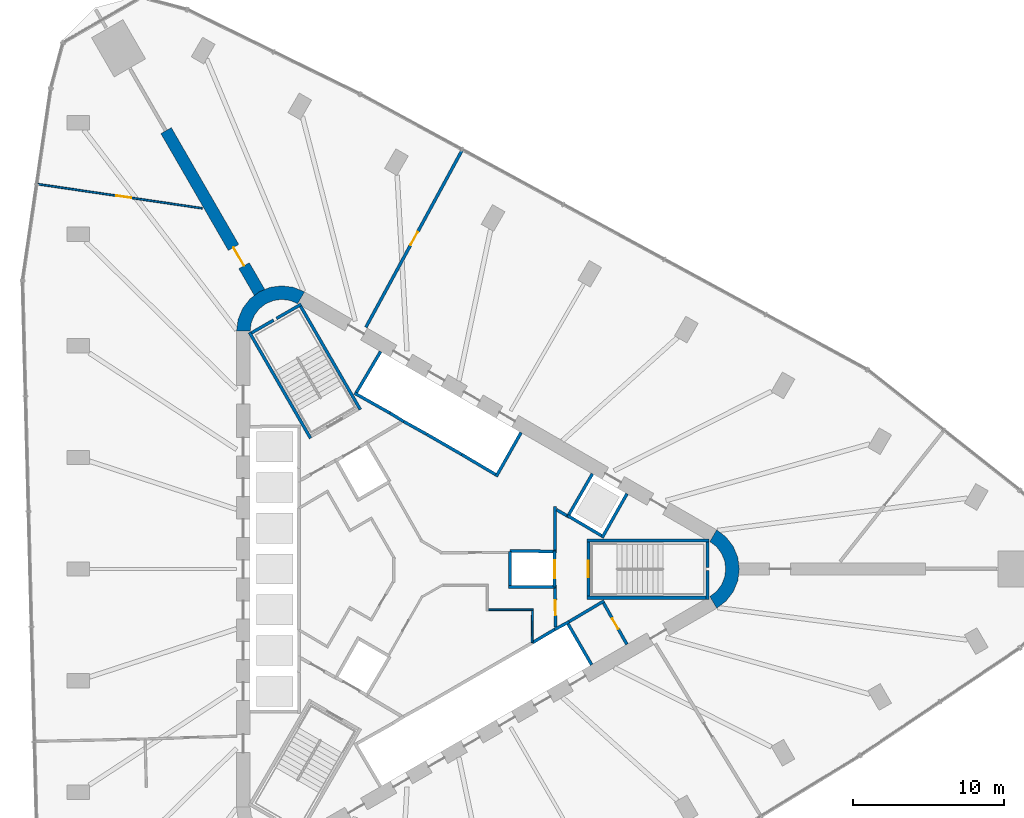
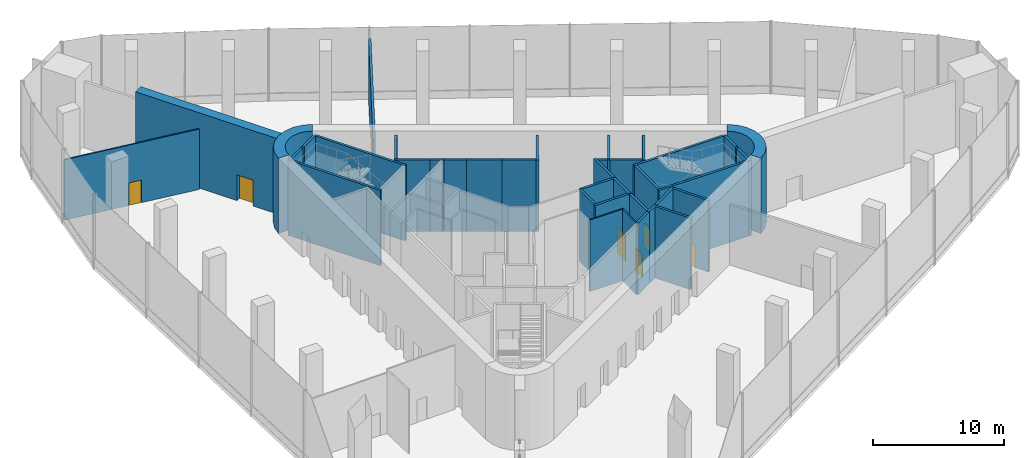
# One storey, part 10 of 15: 38 walls, 7 doors, 7 openings.
"""IFC4 building model written with IfcOpenShell, lengths in metres."""

from ifc_helpers import new_model, si_unit, direction, frame, frame_2d, origin, place, context, subcontext, project, spatial, polyline, rectangle, outline, extrude, material, layer, layer_set, type_object, element, fill, save


model = new_model("IFC4")

# Units and contexts
model_context = context("Model", 3, precision=1e-05, world=origin(), true_north=direction((0.0, 1.0)))
body_context = subcontext(model_context, "Body", "Model", "MODEL_VIEW")
ifc_project = project(units=[si_unit("LENGTHUNIT", "METRE"), si_unit("AREAUNIT", "SQUARE_METRE"), si_unit("VOLUMEUNIT", "CUBIC_METRE"), si_unit("PLANEANGLEUNIT", "RADIAN"), si_unit("MASSUNIT", "GRAM", prefix="KILO")], contexts=[model_context])

# Site, building, storey
site_placement = place(None, origin())
site = spatial("IfcSite", under=ifc_project, at=site_placement, CompositionType="ELEMENT")
building_placement = place(site_placement, origin())
building = spatial("IfcBuilding", under=site, at=building_placement, Name="Tanit Gate Tower", CompositionType="ELEMENT")
storey_placement = place(building_placement, frame((0.0, 0.0, 156.199951171875)))
storey = spatial("IfcBuildingStorey", under=building, at=storey_placement, Name="L34", CompositionType="ELEMENT", Elevation=156.199951171875)

# Wall, opening, door
ifc_material_1 = material(Name="Concrete C60/75", Category="concrete")
ifc_layer_1 = layer(ifc_material_1, 0.800048828125)
ifc_layer_set_1 = layer_set([ifc_layer_1], Name="BUTTRESS FIN 800 C60/75")
wall_type_1 = type_object("IfcWallType", Name="BUTTRESS FIN 800 C60/75", PredefinedType="SHEAR", material=ifc_layer_set_1)
wall_1_placement = place(storey_placement, frame((-10.574951171875, 18.31640625, 0.0), z_axis=(0.0, 0.0, 1.0), x_axis=(-0.500002326941, 0.86602406032, 0.0)))
wall_1 = element("IfcWall", 1, at=wall_1_placement, inside=storey, type_object=wall_type_1, Name="BUTTRESS FIN", PredefinedType="SHEAR", context=body_context, shape_type="SweptSolid", body=[
    extrude(rectangle(XDim=12.3837890625, YDim=0.800048828125, at=frame_2d((6.19189453125, 0.0))), origin(), (0.0, 0.0, 1.0), 7.0),
])
opening_1_placement = place(wall_1_placement, frame((2.050048828125, 0.0, 0.0)))
opening_1 = element("IfcOpeningElement", 2, at=opening_1_placement, cuts=wall_1, Name="Opening P14-34-F-NW-1", PredefinedType="OPENING", context=body_context, shape_type="SweptSolid", body=[
    extrude(rectangle(XDim=1.39990234375, YDim=2.39990234375, at=frame_2d((0.699951171875, 1.199951171875))), frame((0.0, 0.41015625, 0.0), z_axis=(0.0, -1.0, 0.0), x_axis=(1.0, 0.0, 0.0)), (0.0, 0.0, 1.0), 0.820068359375),
])
ifc_material_2 = material(Name="Timber door leaf", Category="wood")
door_type_1 = type_object("IfcDoorType", Name="INT-DOOR-FIN-PAIR-1400", OperationType="NOTDEFINED", PredefinedType="NOTDEFINED", material=ifc_material_2)
door_1_placement = place(opening_1_placement, origin())
door_1 = element("IfcDoor", 3, at=door_1_placement, inside=storey, type_object=door_type_1, Name="Door P14-34-F-NW-1", OperationType="DOUBLE_DOOR_SINGLE_SWING", OverallHeight=2.39990234375, OverallWidth=1.39990234375, PredefinedType="NOTDEFINED", context=body_context, shape_type="SweptSolid", body=[
    extrude(rectangle(XDim=1.39990234375, YDim=2.39990234375, at=frame_2d((0.699951171875, 1.199951171875))), frame((0.0, 0.02490234375, 0.0), z_axis=(0.0, -1.0, 0.0), x_axis=(1.0, 0.0, 0.0)), (0.0, 0.0, 1.0), 0.050048828125),
])
fill(opening_1, door_1)

# Walls
ifc_material_3 = material(Name="Concrete C60/75", Category="concrete")
ifc_layer_2 = layer(ifc_material_3, 0.89990234375)
ifc_layer_set_2 = layer_set([ifc_layer_2], Name="CORE WALL 900 C60/75")
wall_type_2 = type_object("IfcWallType", Name="CORE WALL 900 C60/75", PredefinedType="SHEAR", material=ifc_layer_set_2)
wall_2_placement = place(storey_placement, origin())
element("IfcWall", 4, at=wall_2_placement, inside=storey, type_object=wall_type_2, Name="CORE WALL CORNER", PredefinedType="SHEAR", context=body_context, shape_type="SweptSolid", body=[
    extrude(outline(polyline([(-7.60009765625, 18.359619140625), (-8.323486328125, 18.659423828125), (-9.10009765625, 18.76171875), (-9.87646484375, 18.659423828125), (-10.60009765625, 18.359619140625), (-11.22119140625, 17.883056640625), (-11.697998046875, 17.26171875), (-11.997802734375, 16.5380859375), (-12.10009765625, 15.76171875), (-11.199951171875, 15.76171875), (-11.12841796875, 16.30517578125), (-10.918701171875, 16.811767578125), (-10.5849609375, 17.24658203125), (-10.14990234375, 17.580322265625), (-9.6435546875, 17.7900390625), (-9.10009765625, 17.86181640625), (-8.556396484375, 17.7900390625), (-8.050048828125, 17.580322265625), (-7.60009765625, 18.359619140625)])), origin(), (0.0, 0.0, 1.0), 7.0),
])
wall_3_placement = place(storey_placement, origin())
element("IfcWall", 5, at=wall_3_placement, inside=storey, type_object=wall_type_2, Name="CORE WALL CORNER", PredefinedType="SHEAR", context=body_context, shape_type="SweptSolid", body=[
    extrude(outline(polyline([(19.699951171875, -2.59814453125), (20.3212890625, -2.121337890625), (20.798095703125, -1.5), (21.097900390625, -0.776611328125), (21.199951171875, 0.0), (21.097900390625, 0.776611328125), (20.798095703125, 1.5), (20.3212890625, 2.121337890625), (19.699951171875, 2.59814453125), (19.25, 1.818603515625), (19.684814453125, 1.48486328125), (20.018798828125, 1.050048828125), (20.228515625, 0.54345703125), (20.300048828125, 0.0), (20.228515625, -0.54345703125), (20.018798828125, -1.050048828125), (19.684814453125, -1.48486328125), (19.25, -1.818603515625), (19.699951171875, -2.59814453125)])), origin(), (0.0, 0.0, 1.0), 7.0),
])
ifc_material_4 = material(Name="Fire-rated gypsum board partition")
ifc_layer_3 = layer(ifc_material_4, 0.199951171875)
ifc_layer_set_3 = layer_set([ifc_layer_3], Name="INT-WALL-COMPARTMENT")
wall_type_3 = type_object("IfcWallType", Name="INT-WALL-COMPARTMENT", PredefinedType="PARTITIONING", material=ifc_layer_set_3)
wall_4_placement = place(storey_placement, frame((12.244873046875, -2.10888671875, 0.0), z_axis=(0.0, 0.0, 1.0), x_axis=(-0.860414880418, -0.509594185166, 0.0)))
element("IfcWall", 6, at=wall_4_placement, inside=storey, type_object=wall_type_3, Name="Wall Compartment W059", PredefinedType="PARTITIONING", context=body_context, shape_type="SweptSolid", body=[
    extrude(rectangle(XDim=2.7001953125, YDim=0.199951171875, at=frame_2d((1.35009765625, 0.0))), origin(), (0.0, 0.0, 1.0), 6.650146484375),
])

# Wall, opening, door
wall_5_placement = place(storey_placement, frame((13.758056640625, -4.989501953125, 0.0), z_axis=(0.0, 0.0, 1.0), x_axis=(-0.491993409184, 0.87059892334, 0.0)))
wall_5 = element("IfcWall", 7, at=wall_5_placement, inside=storey, type_object=wall_type_3, Name="Wall Compartment W060", PredefinedType="PARTITIONING", context=body_context, shape_type="SweptSolid", body=[
    extrude(rectangle(XDim=3.150146484375, YDim=0.199951171875, at=frame_2d((1.5751953125, 0.0))), origin(), (0.0, 0.0, 1.0), 6.650146484375),
])
opening_2_placement = place(wall_5_placement, frame((1.175048828125, 0.0, 0.0)))
opening_2 = element("IfcOpeningElement", 8, at=opening_2_placement, cuts=wall_5, Name="Opening R08-34-13", PredefinedType="OPENING", context=body_context, shape_type="SweptSolid", body=[
    extrude(rectangle(XDim=0.800048828125, YDim=2.10009765625, at=frame_2d((0.39990234375, 1.050048828125))), frame((0.0, 0.10986328125, 0.0), z_axis=(0.0, -1.0, 0.0), x_axis=(1.0, 0.0, 0.0)), (0.0, 0.0, 1.0), 0.219970703125),
])
ifc_material_5 = material(Name="Timber door leaf", Category="wood")
door_type_2 = type_object("IfcDoorType", Name="INT-DOOR-RISER-800", OperationType="NOTDEFINED", PredefinedType="USERDEFINED", material=ifc_material_5)
door_2_placement = place(opening_2_placement, origin())
door_2 = element("IfcDoor", 9, at=door_2_placement, inside=storey, type_object=door_type_2, Name="Door R08-34-13", ObjectType="FIRE DOOR", OperationType="SINGLE_SWING_LEFT", OverallHeight=2.10009765625, OverallWidth=0.800048828125, PredefinedType="USERDEFINED", context=body_context, shape_type="SweptSolid", body=[
    extrude(rectangle(XDim=0.800048828125, YDim=2.10009765625, at=frame_2d((0.39990234375, 1.050048828125))), frame((0.0, 0.02490234375, 0.0), z_axis=(0.0, -1.0, 0.0), x_axis=(1.0, 0.0, 0.0)), (0.0, 0.0, 1.0), 0.050048828125),
])
fill(opening_2, door_2)

# Walls
wall_6_placement = place(storey_placement, frame((9.0, 1.27001953125, 0.0), z_axis=(0.0, 0.0, 1.0), x_axis=(0.0, 1.0, 0.0)))
element("IfcWall", 10, at=wall_6_placement, inside=storey, type_object=wall_type_3, Name="Wall Compartment W061", PredefinedType="PARTITIONING", context=body_context, shape_type="SweptSolid", body=[
    extrude(rectangle(XDim=2.886962890625, YDim=0.199951171875, at=frame_2d((1.443359375, 0.0))), origin(), (0.0, 0.0, 1.0), 6.650146484375),
])
wall_7_placement = place(storey_placement, frame((9.760009765625, 3.544921875, 0.0), z_axis=(0.0, 0.0, 1.0), x_axis=(-0.865966824893, 0.500101447894, 0.0)))
element("IfcWall", 11, at=wall_7_placement, inside=storey, type_object=wall_type_3, Name="Wall Compartment W062", PredefinedType="PARTITIONING", context=body_context, shape_type="SweptSolid", body=[
    extrude(rectangle(XDim=0.761962890625, YDim=0.199951171875, at=frame_2d((0.380859375, 0.0))), origin(), (0.0, 0.0, 1.0), 6.650146484375),
])

# Wall, opening, door
wall_8_placement = place(storey_placement, frame((9.02880859375, -3.850830078125, 0.0), z_axis=(0.0, 0.0, 1.0), x_axis=(-0.010783593937, 0.99994185536, 0.0)))
wall_8 = element("IfcWall", 12, at=wall_8_placement, inside=storey, type_object=wall_type_3, Name="Wall Compartment W063", PredefinedType="PARTITIONING", context=body_context, shape_type="SweptSolid", body=[
    extrude(rectangle(XDim=2.5810546875, YDim=0.199951171875, at=frame_2d((1.29052734375, 0.0))), origin(), (0.0, 0.0, 1.0), 6.650146484375),
])
opening_3_placement = place(wall_8_placement, frame((0.79052734375, 0.0, 0.0)))
opening_3 = element("IfcOpeningElement", 13, at=opening_3_placement, cuts=wall_8, Name="Opening F10-34-02", PredefinedType="OPENING", context=body_context, shape_type="SweptSolid", body=[
    extrude(rectangle(XDim=1.0, YDim=2.10009765625, at=frame_2d((0.5, 1.050048828125))), frame((0.0, 0.10986328125, 0.0), z_axis=(0.0, -1.0, 0.0), x_axis=(1.0, 0.0, 0.0)), (0.0, 0.0, 1.0), 0.219970703125),
])
ifc_material_6 = material(Name="Fire-rated steel door leaf", Category="steel")
door_type_3 = type_object("IfcDoorType", Name="INT-DOOR-FIRE-1000", OperationType="NOTDEFINED", PredefinedType="USERDEFINED", material=ifc_material_6)
door_3_placement = place(opening_3_placement, origin())
door_3 = element("IfcDoor", 14, at=door_3_placement, inside=storey, type_object=door_type_3, Name="Door F10-34-02", ObjectType="FIRE DOOR", OperationType="SINGLE_SWING_RIGHT", OverallHeight=2.10009765625, OverallWidth=1.0, PredefinedType="USERDEFINED", context=body_context, shape_type="SweptSolid", body=[
    extrude(rectangle(XDim=1.0, YDim=2.10009765625, at=frame_2d((0.5, 1.050048828125))), frame((0.0, 0.02490234375, 0.0), z_axis=(0.0, -1.0, 0.0), x_axis=(1.0, 0.0, 0.0)), (0.0, 0.0, 1.0), 0.050048828125),
])
fill(opening_3, door_3)

wall_9_placement = place(storey_placement, frame((2.8603515625, 27.783447265625, 0.0), z_axis=(0.0, 0.0, 1.0), x_axis=(-0.477390666412, -0.87869115827, 0.0)))
wall_9 = element("IfcWall", 15, at=wall_9_placement, inside=storey, type_object=wall_type_3, Name="Wall Compartment W095", PredefinedType="PARTITIONING", context=body_context, shape_type="SweptSolid", body=[
    extrude(rectangle(XDim=13.395751953125, YDim=0.199951171875, at=frame_2d((6.69775390625, 0.0))), origin(), (0.0, 0.0, 1.0), 5.612060546875),
])
opening_4_placement = place(wall_9_placement, frame((6.199951171875, 0.0, 0.0)))
opening_4 = element("IfcOpeningElement", 16, at=opening_4_placement, cuts=wall_9, Name="Opening F10-34-16", PredefinedType="OPENING", context=body_context, shape_type="SweptSolid", body=[
    extrude(rectangle(XDim=1.0, YDim=2.10009765625, at=frame_2d((0.5, 1.050048828125))), frame((0.0, 0.10986328125, 0.0), z_axis=(0.0, -1.0, 0.0), x_axis=(1.0, 0.0, 0.0)), (0.0, 0.0, 1.0), 0.219970703125),
])
door_4_placement = place(opening_4_placement, origin())
door_4 = element("IfcDoor", 17, at=door_4_placement, inside=storey, type_object=door_type_3, Name="Door F10-34-16", ObjectType="FIRE DOOR", OperationType="SINGLE_SWING_LEFT", OverallHeight=2.10009765625, OverallWidth=1.0, PredefinedType="USERDEFINED", context=body_context, shape_type="SweptSolid", body=[
    extrude(rectangle(XDim=1.0, YDim=2.10009765625, at=frame_2d((0.5, 1.050048828125))), frame((0.0, 0.02490234375, 0.0), z_axis=(0.0, -1.0, 0.0), x_axis=(1.0, 0.0, 0.0)), (0.0, 0.0, 1.0), 0.050048828125),
])
fill(opening_4, door_4)

# Walls
ifc_material_7 = material(Name="Gypsum board partition")
ifc_layer_4 = layer(ifc_material_7, 0.1201171875)
ifc_layer_set_4 = layer_set([ifc_layer_4], Name="INT-WALL-PARTITION")
wall_type_4 = type_object("IfcWallType", Name="INT-WALL-PARTITION", PredefinedType="PARTITIONING", material=ifc_layer_set_4)
wall_10_placement = place(storey_placement, frame((7.56005859375, -2.699951171875, 0.0), z_axis=(0.0, 0.0, 1.0), x_axis=(-1.0, 0.0, 0.0)))
element("IfcWall", 18, at=wall_10_placement, inside=storey, type_object=wall_type_4, Name="Wall Partition W075", PredefinedType="PARTITIONING", context=body_context, shape_type="SweptSolid", body=[
    extrude(rectangle(XDim=3.0, YDim=0.1201171875, at=frame_2d((1.5, 0.0))), origin(), (0.0, 0.0, 1.0), 6.650146484375),
])
wall_11_placement = place(storey_placement, frame((7.474609375, -4.864501953125, 0.0), z_axis=(0.0, 0.0, 1.0), x_axis=(0.011716133148, 0.999931363757, 0.0)))
element("IfcWall", 19, at=wall_11_placement, inside=storey, type_object=wall_type_4, Name="Wall Partition W076", PredefinedType="PARTITIONING", context=body_context, shape_type="SweptSolid", body=[
    extrude(rectangle(XDim=2.104736328125, YDim=0.1201171875, at=frame_2d((1.05224609375, 0.0))), origin(), (0.0, 0.0, 1.0), 6.650146484375),
])

# Wall, opening, door
wall_12_placement = place(storey_placement, frame((-14.3740234375, 23.896240234375, 0.0), z_axis=(0.0, 0.0, 1.0), x_axis=(-0.98939741422, 0.145233455974, 0.0)))
wall_12 = element("IfcWall", 20, at=wall_12_placement, inside=storey, type_object=wall_type_4, Name="Wall Partition W086", PredefinedType="PARTITIONING", context=body_context, shape_type="SweptSolid", body=[
    extrude(rectangle(XDim=11.088134765625, YDim=0.1201171875, at=frame_2d((5.5439453125, 0.0))), origin(), (0.0, 0.0, 1.0), 5.612060546875),
])
opening_5_placement = place(wall_12_placement, frame((4.762451171875, 0.0, 0.0)))
opening_5 = element("IfcOpeningElement", 21, at=opening_5_placement, cuts=wall_12, Name="Opening D10-34-14", PredefinedType="OPENING", context=body_context, shape_type="SweptSolid", body=[
    extrude(rectangle(XDim=1.0, YDim=2.10009765625, at=frame_2d((0.5, 1.050048828125))), frame((0.0, 0.070068359375, 0.0), z_axis=(0.0, -1.0, 0.0), x_axis=(1.0, 0.0, 0.0)), (0.0, 0.0, 1.0), 0.14013671875),
])
ifc_material_8 = material(Name="Timber door leaf", Category="wood")
door_type_4 = type_object("IfcDoorType", Name="INT-DOOR-SINGLE-1000", OperationType="NOTDEFINED", PredefinedType="NOTDEFINED", material=ifc_material_8)
door_5_placement = place(opening_5_placement, origin())
door_5 = element("IfcDoor", 22, at=door_5_placement, inside=storey, type_object=door_type_4, Name="Door D10-34-14", OperationType="SINGLE_SWING_RIGHT", OverallHeight=2.10009765625, OverallWidth=1.0, PredefinedType="NOTDEFINED", context=body_context, shape_type="SweptSolid", body=[
    extrude(rectangle(XDim=1.0, YDim=2.10009765625, at=frame_2d((0.5, 1.050048828125))), frame((0.0, 0.02490234375, 0.0), z_axis=(0.0, -1.0, 0.0), x_axis=(1.0, 0.0, 0.0)), (0.0, 0.0, 1.0), 0.050048828125),
])
fill(opening_5, door_5)

# Walls
ifc_material_9 = material(Name="Gypsum shaft wall system")
ifc_layer_5 = layer(ifc_material_9, 0.199951171875)
ifc_layer_set_5 = layer_set([ifc_layer_5], Name="INT-WALL-SHAFT")
wall_type_5 = type_object("IfcWallType", Name="INT-WALL-SHAFT", PredefinedType="PLUMBINGWALL", material=ifc_layer_set_5)
wall_13_placement = place(storey_placement, frame((12.10986328125, 2.07275390625, 0.0), z_axis=(0.0, 0.0, 1.0), x_axis=(0.49196600604, 0.870614408852, 0.0)))
element("IfcWall", 23, at=wall_13_placement, inside=storey, type_object=wall_type_5, Name="Wall Shaft W012", PredefinedType="PLUMBINGWALL", context=body_context, shape_type="SweptSolid", body=[
    extrude(rectangle(XDim=3.35009765625, YDim=0.199951171875, at=frame_2d((1.675048828125, 0.0))), origin(), (0.0, 0.0, 1.0), 6.650146484375),
])
wall_14_placement = place(storey_placement, frame((12.072998046875, 2.2109375, 0.0), z_axis=(0.0, 0.0, 1.0), x_axis=(-0.860436389768, 0.509557866354, 0.0)))
element("IfcWall", 24, at=wall_14_placement, inside=storey, type_object=wall_type_5, Name="Wall Shaft W013", PredefinedType="PLUMBINGWALL", context=body_context, shape_type="SweptSolid", body=[
    extrude(rectangle(XDim=2.60009765625, YDim=0.199951171875, at=frame_2d((1.300048828125, 0.0))), origin(), (0.0, 0.0, 1.0), 6.650146484375),
])
for number, where, z_axis, x_axis, name in (
    (25, (9.796630859375, 3.408203125, 0.0), (0.0, 0.0, 1.0), (0.499987396469, 0.866032680314, 0.0), "Wall Shaft W014"),
    (26, (6.7431640625, 9.03955078125, 0.0), (0.0, 0.0, 1.0), (-0.49196600604, -0.870614408852, 0.0), "Wall Shaft W015"),
):
    element("IfcWall", number, at=place(storey_placement, frame(where, z_axis=z_axis, x_axis=x_axis)), inside=storey, type_object=wall_type_5, Name=name, PredefinedType="PLUMBINGWALL", context=body_context, shape_type="SweptSolid", body=[
        extrude(rectangle(XDim=3.35009765625, YDim=0.199951171875, at=frame_2d((1.675048828125, 0.0))), origin(), (0.0, 0.0, 1.0), 6.650146484375),
    ])
wall_15_placement = place(storey_placement, frame((5.05810546875, 6.2607421875, 0.0), z_axis=(0.0, 0.0, 1.0), x_axis=(-0.860395222238, 0.509627375197, 0.0)))
element("IfcWall", 27, at=wall_15_placement, inside=storey, type_object=wall_type_5, Name="Wall Shaft W016", PredefinedType="PLUMBINGWALL", context=body_context, shape_type="SweptSolid", body=[
    extrude(rectangle(XDim=2.600341796875, YDim=0.199951171875, at=frame_2d((1.30029296875, 0.0))), origin(), (0.0, 0.0, 1.0), 6.650146484375),
])
wall_16_placement = place(storey_placement, frame((2.82080078125, 7.5859375, 0.0), z_axis=(0.0, 0.0, 1.0), x_axis=(-0.866036505625, 0.499980770555, 0.0)))
element("IfcWall", 28, at=wall_16_placement, inside=storey, type_object=wall_type_5, Name="Wall Shaft W017", PredefinedType="PLUMBINGWALL", context=body_context, shape_type="SweptSolid", body=[
    extrude(rectangle(XDim=2.69970703125, YDim=0.199951171875, at=frame_2d((1.349853515625, 0.0))), origin(), (0.0, 0.0, 1.0), 6.650146484375),
])
wall_17_placement = place(storey_placement, frame((-1.940673828125, 10.338623046875, 0.0), z_axis=(0.0, 0.0, 1.0), x_axis=(0.850216889117, -0.526432561171, 0.0)))
element("IfcWall", 29, at=wall_17_placement, inside=storey, type_object=wall_type_5, Name="Wall Shaft W018", PredefinedType="PLUMBINGWALL", context=body_context, shape_type="SweptSolid", body=[
    extrude(rectangle(XDim=1.078369140625, YDim=0.199951171875, at=frame_2d((0.5390625, 0.0))), origin(), (0.0, 0.0, 1.0), 6.650146484375),
])
wall_18_placement = place(storey_placement, frame((0.482666015625, 8.935791015625, 0.0), z_axis=(0.0, 0.0, 1.0), x_axis=(-0.874269620932, 0.485440655401, 0.0)))
element("IfcWall", 30, at=wall_18_placement, inside=storey, type_object=wall_type_5, Name="Wall Shaft W019", PredefinedType="PLUMBINGWALL", context=body_context, shape_type="SweptSolid", body=[
    extrude(rectangle(XDim=1.8447265625, YDim=0.199951171875, at=frame_2d((0.92236328125, 0.0))), origin(), (0.0, 0.0, 1.0), 6.650146484375),
])
wall_19_placement = place(storey_placement, frame((-4.296142578125, 11.658935546875, 0.0), z_axis=(0.0, 0.0, 1.0), x_axis=(0.871534483978, -0.490334215854, 0.0)))
element("IfcWall", 31, at=wall_19_placement, inside=storey, type_object=wall_type_5, Name="Wall Shaft W020", PredefinedType="PLUMBINGWALL", context=body_context, shape_type="SweptSolid", body=[
    extrude(rectangle(XDim=2.7001953125, YDim=0.199951171875, at=frame_2d((1.35009765625, 0.0))), origin(), (0.0, 0.0, 1.0), 6.650146484375),
])
wall_20_placement = place(storey_placement, frame((-4.158203125, 11.696044921875, 0.0), z_axis=(0.0, 0.0, 1.0), x_axis=(0.508018930956, 0.861345903683, 0.0)))
element("IfcWall", 32, at=wall_20_placement, inside=storey, type_object=wall_type_5, Name="Wall Shaft W021", PredefinedType="PLUMBINGWALL", context=body_context, shape_type="SweptSolid", body=[
    extrude(rectangle(XDim=3.150146484375, YDim=0.199951171875, at=frame_2d((1.5751953125, 0.0))), origin(), (0.0, 0.0, 1.0), 6.650146484375),
])
wall_21_placement = place(storey_placement, frame((9.794677734375, -3.52490234375, 0.0), z_axis=(0.0, 0.0, 1.0), x_axis=(0.499984717929, -0.866034226713, 0.0)))
element("IfcWall", 33, at=wall_21_placement, inside=storey, type_object=wall_type_5, Name="Wall Shaft W023", PredefinedType="PLUMBINGWALL", context=body_context, shape_type="SweptSolid", body=[
    extrude(rectangle(XDim=3.25, YDim=0.199951171875, at=frame_2d((1.625, 0.0))), origin(), (0.0, 0.0, 1.0), 6.650146484375),
])
wall_22_placement = place(storey_placement, frame((8.97412109375, -3.998779296875, 0.0), z_axis=(0.0, 0.0, 1.0), x_axis=(0.880907015104, 0.473289373154, 0.0)))
element("IfcWall", 34, at=wall_22_placement, inside=storey, type_object=wall_type_5, Name="Wall Shaft W024", PredefinedType="PLUMBINGWALL", context=body_context, shape_type="SweptSolid", body=[
    extrude(rectangle(XDim=1.078125, YDim=0.199951171875, at=frame_2d((0.5390625, 0.0))), origin(), (0.0, 0.0, 1.0), 6.650146484375),
])
wall_23_placement = place(storey_placement, frame((7.4931640625, -4.87841796875, 0.0), z_axis=(0.0, 0.0, 1.0), x_axis=(0.859981807212, 0.510324691999, 0.0)))
element("IfcWall", 35, at=wall_23_placement, inside=storey, type_object=wall_type_5, Name="Wall Shaft W025", PredefinedType="PLUMBINGWALL", context=body_context, shape_type="SweptSolid", body=[
    extrude(rectangle(XDim=1.8447265625, YDim=0.199951171875, at=frame_2d((0.92236328125, 0.0))), origin(), (0.0, 0.0, 1.0), 6.650146484375),
])

# Wall, opening, door
wall_24_placement = place(storey_placement, frame((8.969970703125, 1.199951171875, 0.0), z_axis=(0.0, 0.0, 1.0), x_axis=(0.0, -1.0, 0.0)))
wall_24 = element("IfcWall", 36, at=wall_24_placement, inside=storey, type_object=wall_type_5, Name="Wall Shaft W037", PredefinedType="PLUMBINGWALL", context=body_context, shape_type="SweptSolid", body=[
    extrude(rectangle(XDim=2.39990234375, YDim=0.199951171875, at=frame_2d((1.199951171875, 0.0))), origin(), (0.0, 0.0, 1.0), 6.650146484375),
])
opening_6_placement = place(wall_24_placement, frame((0.60009765625, 0.0, 0.0)))
opening_6 = element("IfcOpeningElement", 37, at=opening_6_placement, cuts=wall_24, Name="Opening LDFL1-L34", PredefinedType="OPENING", context=body_context, shape_type="SweptSolid", body=[
    extrude(rectangle(XDim=1.199951171875, YDim=2.39990234375, at=frame_2d((0.60009765625, 1.199951171875))), frame((0.0, 0.10986328125, 0.0), z_axis=(0.0, -1.0, 0.0), x_axis=(1.0, 0.0, 0.0)), (0.0, 0.0, 1.0), 0.219970703125),
])
ifc_material_10 = material(Name="Stainless steel sliding door leaf", Category="steel")
door_type_5 = type_object("IfcDoorType", Name="INT-DOOR-LANDING-1200", OperationType="NOTDEFINED", PredefinedType="USERDEFINED", material=ifc_material_10)
door_6_placement = place(opening_6_placement, origin())
door_6 = element("IfcDoor", 38, at=door_6_placement, inside=storey, type_object=door_type_5, Name="Door LDFL1-L34", ObjectType="LANDING DOOR", OperationType="SLIDING_TO_LEFT", OverallHeight=2.39990234375, OverallWidth=1.199951171875, PredefinedType="USERDEFINED", context=body_context, shape_type="SweptSolid", body=[
    extrude(rectangle(XDim=1.199951171875, YDim=2.39990234375, at=frame_2d((0.60009765625, 1.199951171875))), frame((0.0, 0.02490234375, 0.0), z_axis=(0.0, -1.0, 0.0), x_axis=(1.0, 0.0, 0.0)), (0.0, 0.0, 1.0), 0.050048828125),
])
fill(opening_6, door_6)

# Walls
wall_25_placement = place(storey_placement, frame((6.0, 1.199951171875, 0.0), z_axis=(0.0, 0.0, 1.0), x_axis=(0.999949988, -0.010001074852, 0.0)))
element("IfcWall", 39, at=wall_25_placement, inside=storey, type_object=wall_type_5, Name="Wall Shaft W038", PredefinedType="PLUMBINGWALL", context=body_context, shape_type="SweptSolid", body=[
    extrude(rectangle(XDim=3.100341796875, YDim=0.199951171875, at=frame_2d((1.55029296875, 0.0))), origin(), (0.0, 0.0, 1.0), 6.650146484375),
])
wall_26_placement = place(storey_placement, frame((5.89990234375, -1.200927734375, 0.0), z_axis=(0.0, 0.0, 1.0), x_axis=(0.999950064753, 0.009993397809, 0.0)))
element("IfcWall", 40, at=wall_26_placement, inside=storey, type_object=wall_type_5, Name="Wall Shaft W039", PredefinedType="PLUMBINGWALL", context=body_context, shape_type="SweptSolid", body=[
    extrude(rectangle(XDim=3.200439453125, YDim=0.199951171875, at=frame_2d((1.60009765625, 0.0))), origin(), (0.0, 0.0, 1.0), 6.650146484375),
])
wall_27_placement = place(storey_placement, frame((6.0, -1.10009765625, 0.0), z_axis=(0.0, 0.0, 1.0), x_axis=(0.0, 1.0, 0.0)))
element("IfcWall", 41, at=wall_27_placement, inside=storey, type_object=wall_type_5, Name="Wall Shaft W040", PredefinedType="PLUMBINGWALL", context=body_context, shape_type="SweptSolid", body=[
    extrude(rectangle(XDim=2.279541015625, YDim=0.199951171875, at=frame_2d((1.1396484375, 0.0))), origin(), (0.0, 0.0, 1.0), 6.650146484375),
])
ifc_material_11 = material(Name="Concrete C40/50", Category="concrete")
ifc_layer_6 = layer(ifc_material_11, 0.199951171875)
ifc_layer_set_6 = layer_set([ifc_layer_6], Name="INT-WALL-STAIR")
wall_type_6 = type_object("IfcWallType", Name="INT-WALL-STAIR", PredefinedType="SHEAR", material=ifc_layer_set_6)
wall_28_placement = place(storey_placement, frame((19.199951171875, 1.89990234375, -0.349853515625), z_axis=(0.0, 0.0, 1.0), x_axis=(-1.0, 0.0, 0.0)))
element("IfcWall", 42, at=wall_28_placement, inside=storey, type_object=wall_type_6, Name="Wall Stair W032", PredefinedType="SHEAR", context=body_context, shape_type="SweptSolid", body=[
    extrude(rectangle(XDim=8.099853515625, YDim=0.199951171875, at=frame_2d((4.0498046875, 0.0))), origin(), (0.0, 0.0, 1.0), 7.0),
])
wall_29_placement = place(storey_placement, frame((19.10009765625, -2.0, -0.349853515625), z_axis=(0.0, 0.0, 1.0), x_axis=(0.0, 1.0, 0.0)))
element("IfcWall", 43, at=wall_29_placement, inside=storey, type_object=wall_type_6, Name="Wall Stair W034", PredefinedType="SHEAR", context=body_context, shape_type="SweptSolid", body=[
    extrude(rectangle(XDim=1.889892578125, YDim=0.199951171875, at=frame_2d((0.94482421875, 0.0))), origin(), (0.0, 0.0, 1.0), 7.0),
])
wall_30_placement = place(storey_placement, frame((19.10009765625, 0.110107421875, -0.349853515625), z_axis=(0.0, 0.0, 1.0), x_axis=(0.0, 1.0, 0.0)))
element("IfcWall", 44, at=wall_30_placement, inside=storey, type_object=wall_type_6, Name="Wall Stair W033", PredefinedType="SHEAR", context=body_context, shape_type="SweptSolid", body=[
    extrude(rectangle(XDim=1.68994140625, YDim=0.199951171875, at=frame_2d((0.844970703125, 0.0))), origin(), (0.0, 0.0, 1.0), 7.0),
])
wall_31_placement = place(storey_placement, frame((11.10009765625, -1.89990234375, -0.349853515625), z_axis=(0.0, 0.0, 1.0), x_axis=(1.0, 0.0, 0.0)))
element("IfcWall", 45, at=wall_31_placement, inside=storey, type_object=wall_type_6, Name="Wall Stair W035", PredefinedType="SHEAR", context=body_context, shape_type="SweptSolid", body=[
    extrude(rectangle(XDim=7.89990234375, YDim=0.199951171875, at=frame_2d((3.949951171875, 0.0))), origin(), (0.0, 0.0, 1.0), 7.0),
])

# Wall, opening, door
wall_32_placement = place(storey_placement, frame((11.199951171875, -1.800048828125, -0.349853515625), z_axis=(0.0, 0.0, 1.0), x_axis=(0.0, 1.0, 0.0)))
wall_32 = element("IfcWall", 46, at=wall_32_placement, inside=storey, type_object=wall_type_6, Name="Wall Stair W036", PredefinedType="SHEAR", context=body_context, shape_type="SweptSolid", body=[
    extrude(rectangle(XDim=3.60009765625, YDim=0.199951171875, at=frame_2d((1.800048828125, 0.0))), origin(), (0.0, 0.0, 1.0), 7.0),
])
opening_7_placement = place(wall_32_placement, frame((1.25, 0.0, 0.35009765625)))
opening_7 = element("IfcOpeningElement", 47, at=opening_7_placement, cuts=wall_32, Name="Opening S11-34-01", PredefinedType="OPENING", context=body_context, shape_type="SweptSolid", body=[
    extrude(rectangle(XDim=1.10009765625, YDim=2.10009765625, at=frame_2d((0.550048828125, 1.050048828125))), frame((0.0, 0.10986328125, 0.0), z_axis=(0.0, -1.0, 0.0), x_axis=(1.0, 0.0, 0.0)), (0.0, 0.0, 1.0), 0.219970703125),
])
ifc_material_12 = material(Name="Timber door leaf", Category="wood")
door_type_6 = type_object("IfcDoorType", Name="INT-DOOR-STAIR-1100", OperationType="NOTDEFINED", PredefinedType="USERDEFINED", material=ifc_material_12)
door_7_placement = place(opening_7_placement, origin())
door_7 = element("IfcDoor", 48, at=door_7_placement, inside=storey, type_object=door_type_6, Name="Door S11-34-01", ObjectType="FIRE DOOR", OperationType="SINGLE_SWING_RIGHT", OverallHeight=2.10009765625, OverallWidth=1.10009765625, PredefinedType="USERDEFINED", context=body_context, shape_type="SweptSolid", body=[
    extrude(rectangle(XDim=1.10009765625, YDim=2.10009765625, at=frame_2d((0.550048828125, 1.050048828125))), frame((0.0, 0.02490234375, 0.0), z_axis=(0.0, -1.0, 0.0), x_axis=(1.0, 0.0, 0.0)), (0.0, 0.0, 1.0), 0.050048828125),
])
fill(opening_7, door_7)

# Walls
wall_33_placement = place(storey_placement, frame((-11.245361328125, 15.677734375, -0.349853515625), z_axis=(0.0, 0.0, 1.0), x_axis=(0.499977274689, -0.866038523851, 0.0)))
element("IfcWall", 49, at=wall_33_placement, inside=storey, type_object=wall_type_6, Name="Wall Stair W041", PredefinedType="SHEAR", context=body_context, shape_type="SweptSolid", body=[
    extrude(rectangle(XDim=8.10009765625, YDim=0.199951171875, at=frame_2d((4.050048828125, 0.0))), origin(), (0.0, 0.0, 1.0), 7.0),
])
wall_34_placement = place(storey_placement, frame((-7.81787109375, 17.541015625, -0.349853515625), z_axis=(0.0, 0.0, 1.0), x_axis=(-0.866088799389, -0.499890179513, 0.0)))
element("IfcWall", 50, at=wall_34_placement, inside=storey, type_object=wall_type_6, Name="Wall Stair W043", PredefinedType="SHEAR", context=body_context, shape_type="SweptSolid", body=[
    extrude(rectangle(XDim=1.89013671875, YDim=0.199951171875, at=frame_2d((0.945068359375, 0.0))), origin(), (0.0, 0.0, 1.0), 7.0),
])
wall_35_placement = place(storey_placement, frame((-9.645263671875, 16.486083984375, -0.349853515625), z_axis=(0.0, 0.0, 1.0), x_axis=(-0.866038843867, -0.499976720371, 0.0)))
element("IfcWall", 51, at=wall_35_placement, inside=storey, type_object=wall_type_6, Name="Wall Stair W042", PredefinedType="SHEAR", context=body_context, shape_type="SweptSolid", body=[
    extrude(rectangle(XDim=1.68994140625, YDim=0.199951171875, at=frame_2d((0.844970703125, 0.0))), origin(), (0.0, 0.0, 1.0), 7.0),
])
wall_36_placement = place(storey_placement, frame((-7.8544921875, 17.404541015625, -0.349853515625), z_axis=(0.0, 0.0, 1.0), x_axis=(0.499997992926, -0.866026562566, 0.0)))
element("IfcWall", 52, at=wall_36_placement, inside=storey, type_object=wall_type_6, Name="Wall Stair W044", PredefinedType="SHEAR", context=body_context, shape_type="SweptSolid", body=[
    extrude(rectangle(XDim=7.89990234375, YDim=0.199951171875, at=frame_2d((3.949951171875, 0.0))), origin(), (0.0, 0.0, 1.0), 7.0),
])

save(model, "model.ifc")
